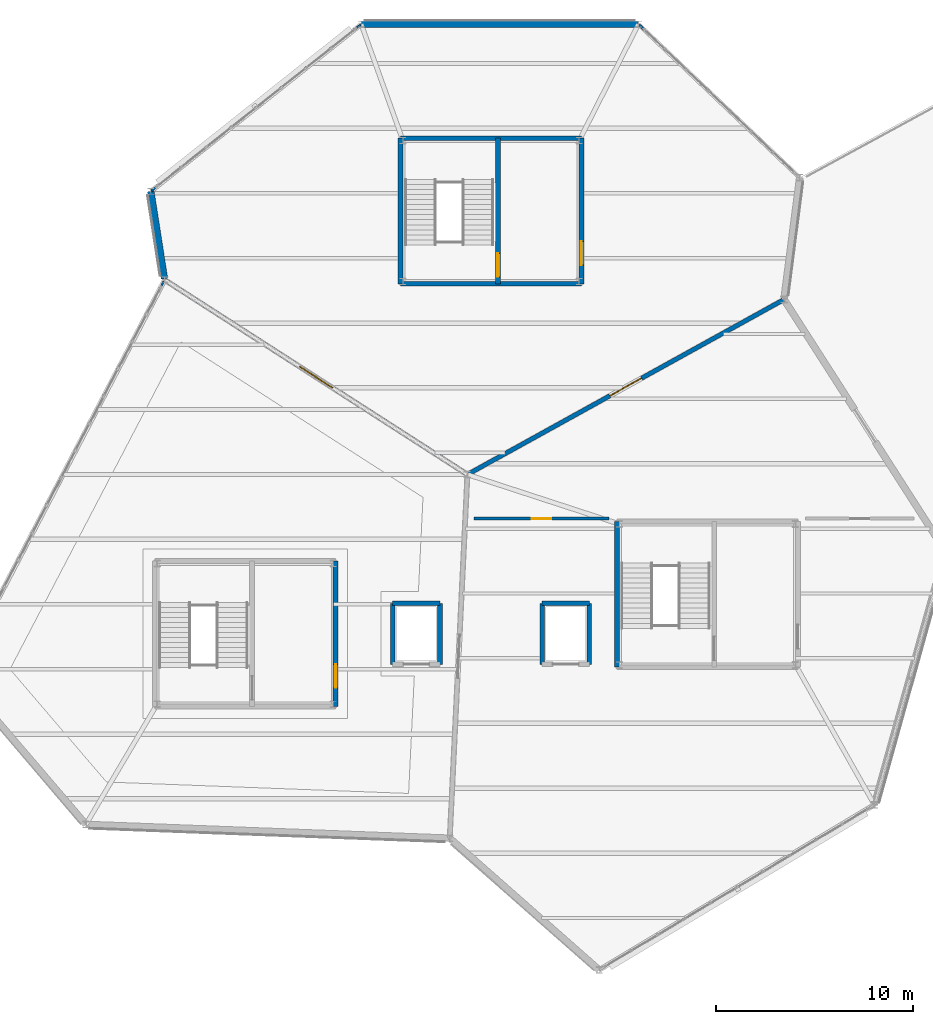
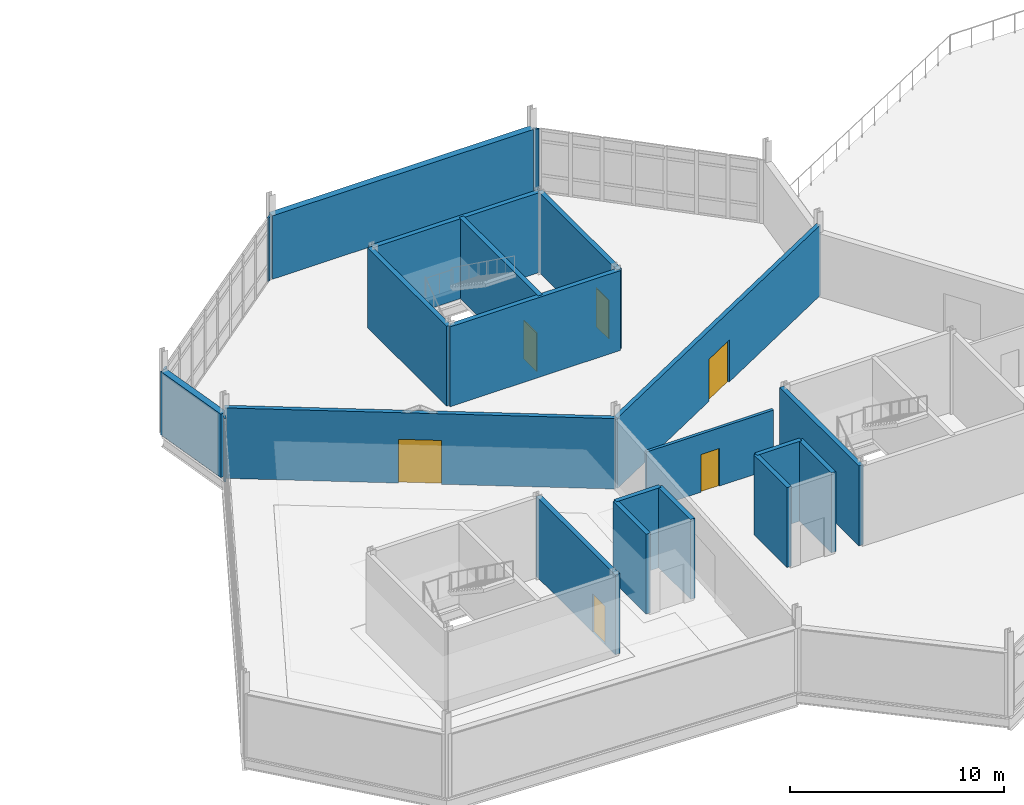
# One storey, part 64 of 76: 22 walls, 6 doors, 6 openings.
"""IFC4 building model written with IfcOpenShell, lengths in metres."""

from ifc_helpers import new_model, si_unit, direction, frame, frame_2d, origin, place, context, subcontext, project, spatial, rectangle, extrude, material, layer, layer_set, type_object, element, fill, save


model = new_model("IFC4")

# Units and contexts
model_context = context("Model", 3, precision=1e-05, world=origin(), true_north=direction((0.0, 1.0)))
body_context = subcontext(model_context, "Body", "Model", "MODEL_VIEW")
ifc_project = project(units=[si_unit("LENGTHUNIT", "METRE"), si_unit("AREAUNIT", "SQUARE_METRE"), si_unit("VOLUMEUNIT", "CUBIC_METRE"), si_unit("PLANEANGLEUNIT", "RADIAN"), si_unit("MASSUNIT", "GRAM", prefix="KILO")], contexts=[model_context])

# Site, building, storey
site_placement = place(None, origin())
site = spatial("IfcSite", under=ifc_project, at=site_placement, CompositionType="ELEMENT")
building_placement = place(site_placement, origin())
building = spatial("IfcBuilding", under=site, at=building_placement, Name="Tameran Prism Museum", CompositionType="ELEMENT")
storey_placement = place(building_placement, frame((0.0, 0.0, 15.0)))
storey = spatial("IfcBuildingStorey", under=building, at=storey_placement, Name="L03", CompositionType="ELEMENT", Elevation=15.0)

# Walls
ifc_material_1 = material(Name="Precast Concrete N40 (40 MPa)", Category="concrete")
ifc_layer_1 = layer(ifc_material_1, 0.094970703125)
ifc_layer_set_1 = layer_set([ifc_layer_1])
wall_type_1 = type_object("IfcWallType", Name="EW-CLOS-095", PredefinedType="SOLIDWALL", material=ifc_layer_set_1)
wall_1_placement = place(storey_placement, frame((103.2099609375, 98.636962890625, 0.0), z_axis=(0.0, 0.0, 1.0), x_axis=(0.464243799771, 0.885707454171, 0.0)))
element("IfcWall", 1, at=wall_1_placement, inside=storey, type_object=wall_type_1, Name="Facade Corner Closure EW-0361", PredefinedType="SOLIDWALL", context=body_context, shape_type="SweptSolid", body=[
    extrude(rectangle(XDim=0.30810546875, YDim=0.094970703125, at=frame_2d((0.154052734375, 0.0))), origin(), (0.0, 0.0, 1.0), 3.6201171875),
])
for number, where, z_axis, x_axis, name in (
    (2, (127.530029296875, 111.970947265625, 0.0), (0.0, 0.0, 1.0), (0.726243974232, -0.687437044311, 0.0), "Facade Corner Closure EW-0369"),
    (3, (102.73291015625, 103.52587890625, 0.0), (0.0, 0.0, 1.0), (0.782180115256, 0.623052379257, 0.0), "Facade Corner Closure EW-0372"),
):
    element("IfcWall", number, at=place(storey_placement, frame(where, z_axis=z_axis, x_axis=x_axis)), inside=storey, type_object=wall_type_1, Name=name, PredefinedType="SOLIDWALL", context=body_context, shape_type="SweptSolid", body=[
        extrude(rectangle(XDim=0.308349609375, YDim=0.094970703125, at=frame_2d((0.154296875, 0.0))), origin(), (0.0, 0.0, 1.0), 3.6201171875),
    ])
wall_2_placement = place(storey_placement, frame((113.1259765625, 111.781982421875, 0.0), z_axis=(0.0, 0.0, 1.0), x_axis=(0.781872503851, 0.6234383592, 0.0)))
element("IfcWall", 4, at=wall_2_placement, inside=storey, type_object=wall_type_1, Name="Facade Corner Closure EW-0373", PredefinedType="SOLIDWALL", context=body_context, shape_type="SweptSolid", body=[
    extrude(rectangle(XDim=0.30810546875, YDim=0.094970703125, at=frame_2d((0.154052734375, 0.0))), origin(), (0.0, 0.0, 1.0), 3.6201171875),
])
ifc_material_2 = material(Name="Precast Concrete N40 (40 MPa)", Category="concrete")
ifc_layer_2 = layer(ifc_material_2, 0.340087890625)
ifc_layer_set_2 = layer_set([ifc_layer_2])
wall_type_2 = type_object("IfcWallType", Name="EW-GAL-340", PredefinedType="SOLIDWALL", material=ifc_layer_set_2)
wall_3_placement = place(storey_placement, frame((113.39990234375, 112.0, 0.0), z_axis=(0.0, 0.0, 1.0), x_axis=(1.0, 0.0, 0.0)))
element("IfcWall", 5, at=wall_3_placement, inside=storey, type_object=wall_type_2, Name="Exterior Fluted Precast Wall EW-0371", PredefinedType="SOLIDWALL", context=body_context, shape_type="SweptSolid", body=[
    extrude(rectangle(XDim=14.10009765625, YDim=0.340087890625, at=frame_2d((7.050048828125, 0.0))), origin(), (0.0, 0.0, 1.0), 3.6201171875),
])
wall_4_placement = place(storey_placement, frame((103.39111328125, 99.05908203125, 0.0), z_axis=(0.0, 0.0, 1.0), x_axis=(-0.153783616147, 0.988104548823, 0.0)))
element("IfcWall", 6, at=wall_4_placement, inside=storey, type_object=wall_type_2, Name="Exterior Fluted Precast Wall EW-0374", PredefinedType="SOLIDWALL", context=body_context, shape_type="SweptSolid", body=[
    extrude(rectangle(XDim=4.494384765625, YDim=0.340087890625, at=frame_2d((2.2470703125, 0.0))), origin(), (0.0, 0.0, 1.0), 3.6201171875),
])

# Wall, opening, door
ifc_material_3 = material(Name="Concrete N40 (40 MPa)", Category="concrete")
ifc_layer_3 = layer(ifc_material_3, 0.22509765625)
ifc_layer_set_3 = layer_set([ifc_layer_3])
wall_type_3 = type_object("IfcWallType", Name="IW-CMP-225", PredefinedType="SOLIDWALL", material=ifc_layer_set_3)
wall_5_placement = place(storey_placement, frame((118.800048828125, 89.10009765625, 0.0), z_axis=(0.0, 0.0, 1.0), x_axis=(-0.841183241423, 0.540750177392, 0.0)))
wall_5 = element("IfcWall", 7, at=wall_5_placement, inside=storey, type_object=wall_type_3, Name="Compartment Wall IW-0137", PredefinedType="SOLIDWALL", context=body_context, shape_type="SweptSolid", body=[
    extrude(rectangle(XDim=18.3076171875, YDim=0.22509765625, at=frame_2d((9.15380859375, 0.0))), origin(), (0.0, 0.0, 1.0), 4.02001953125),
])
opening_1_placement = place(wall_5_placement, frame((8.154052734375, 0.0, 0.0)))
opening_1 = element("IfcOpeningElement", 8, at=opening_1_placement, cuts=wall_5, Name="Opening ID-0136", PredefinedType="OPENING", context=body_context, shape_type="SweptSolid", body=[
    extrude(rectangle(XDim=2.0, YDim=2.5, at=frame_2d((1.0, 1.25))), frame((0.0, 0.12255859375, 0.0), z_axis=(0.0, -1.0, 0.0), x_axis=(1.0, 0.0, 0.0)), (0.0, 0.0, 1.0), 0.2451171875),
])
ifc_material_4 = material(Name="Fire-Rated Steel Door Leaf and Frame", Category="steel")
door_type_1 = type_object("IfcDoorType", Name="DR-GAL-200", OperationType="DOUBLE_DOOR_SINGLE_SWING", PredefinedType="DOOR", material=ifc_material_4)
door_1_placement = place(opening_1_placement, origin())
door_1 = element("IfcDoor", 9, at=door_1_placement, inside=storey, type_object=door_type_1, Name="Compartment Door ID-0136", OperationType="DOUBLE_DOOR_SINGLE_SWING", OverallHeight=2.5, OverallWidth=2.0, PredefinedType="DOOR", context=body_context, shape_type="SweptSolid", body=[
    extrude(rectangle(XDim=2.0, YDim=2.5, at=frame_2d((1.0, 1.25))), frame((0.0, 0.02490234375, 0.0), z_axis=(0.0, -1.0, 0.0), x_axis=(1.0, 0.0, 0.0)), (0.0, 0.0, 1.0), 0.050048828125),
])
fill(opening_1, door_1)

wall_6_placement = place(storey_placement, frame((134.89990234375, 98.0, 0.0), z_axis=(0.0, 0.0, 1.0), x_axis=(-0.875181353329, -0.483794996652, 0.0)))
wall_6 = element("IfcWall", 10, at=wall_6_placement, inside=storey, type_object=wall_type_3, Name="Compartment Wall IW-0138", PredefinedType="SOLIDWALL", context=body_context, shape_type="SweptSolid", body=[
    extrude(rectangle(XDim=18.39599609375, YDim=0.22509765625, at=frame_2d((9.197998046875, 0.0))), origin(), (0.0, 0.0, 1.0), 4.02001953125),
])
opening_2_placement = place(wall_6_placement, frame((8.27294921875, 0.0, 0.0)))
opening_2 = element("IfcOpeningElement", 11, at=opening_2_placement, cuts=wall_6, Name="Opening ID-0137", PredefinedType="OPENING", context=body_context, shape_type="SweptSolid", body=[
    extrude(rectangle(XDim=1.85009765625, YDim=2.39990234375, at=frame_2d((0.925048828125, 1.199951171875))), frame((0.0, 0.12255859375, 0.0), z_axis=(0.0, -1.0, 0.0), x_axis=(1.0, 0.0, 0.0)), (0.0, 0.0, 1.0), 0.2451171875),
])
ifc_material_5 = material(Name="Fire-Rated Steel Door Leaf and Frame", Category="steel")
door_type_2 = type_object("IfcDoorType", Name="DR-GAL-185", OperationType="DOUBLE_DOOR_SINGLE_SWING", PredefinedType="DOOR", material=ifc_material_5)
door_2_placement = place(opening_2_placement, origin())
door_2 = element("IfcDoor", 12, at=door_2_placement, inside=storey, type_object=door_type_2, Name="Compartment Door ID-0137", OperationType="DOUBLE_DOOR_SINGLE_SWING", OverallHeight=2.39990234375, OverallWidth=1.85009765625, PredefinedType="DOOR", context=body_context, shape_type="SweptSolid", body=[
    extrude(rectangle(XDim=1.85009765625, YDim=2.39990234375, at=frame_2d((0.925048828125, 1.199951171875))), frame((0.0, 0.02490234375, 0.0), z_axis=(0.0, -1.0, 0.0), x_axis=(1.0, 0.0, 0.0)), (0.0, 0.0, 1.0), 0.050048828125),
])
fill(opening_2, door_2)

ifc_material_6 = material(Name="Concrete N40 (40 MPa)", Category="concrete")
ifc_layer_4 = layer(ifc_material_6, 0.25)
ifc_layer_set_4 = layer_set([ifc_layer_4])
wall_type_4 = type_object("IfcWallType", Name="IW-COR-250", PredefinedType="SHEAR", material=ifc_layer_set_4)
wall_7_placement = place(storey_placement, frame((112.10009765625, 84.699951171875, 0.0), z_axis=(0.0, 0.0, 1.0), x_axis=(0.0, -1.0, 0.0)))
wall_7 = element("IfcWall", 13, at=wall_7_placement, inside=storey, type_object=wall_type_4, Name="Core Shear Wall CW-1-L03-E", PredefinedType="SHEAR", context=body_context, shape_type="SweptSolid", body=[
    extrude(rectangle(XDim=7.39990234375, YDim=0.25, at=frame_2d((3.699951171875, 0.0))), origin(), (0.0, 0.0, 1.0), 4.56005859375),
])
opening_3_placement = place(wall_7_placement, frame((5.25, 0.0, 0.0)))
opening_3 = element("IfcOpeningElement", 14, at=opening_3_placement, cuts=wall_7, Name="Opening FD-0177", PredefinedType="OPENING", context=body_context, shape_type="SweptSolid", body=[
    extrude(rectangle(XDim=1.199951171875, YDim=2.199951171875, at=frame_2d((0.60009765625, 1.10009765625))), frame((0.0, 0.135009765625, 0.0), z_axis=(0.0, -1.0, 0.0), x_axis=(1.0, 0.0, 0.0)), (0.0, 0.0, 1.0), 0.27001953125),
])
ifc_material_7 = material(Name="Fire-Rated Steel Door Leaf and Frame", Category="steel")
door_type_3 = type_object("IfcDoorType", Name="DR-FD-120A", OperationType="NOTDEFINED", PredefinedType="DOOR", material=ifc_material_7)
door_3_placement = place(opening_3_placement, origin())
door_3 = element("IfcDoor", 15, at=door_3_placement, inside=storey, type_object=door_type_3, Name="Core Fire Door FD-0177", OperationType="SINGLE_SWING_LEFT", OverallHeight=2.199951171875, OverallWidth=1.199951171875, PredefinedType="DOOR", context=body_context, shape_type="SweptSolid", body=[
    extrude(rectangle(XDim=1.199951171875, YDim=2.199951171875, at=frame_2d((0.60009765625, 1.10009765625))), frame((0.0, 0.02490234375, 0.0), z_axis=(0.0, -1.0, 0.0), x_axis=(1.0, 0.0, 0.0)), (0.0, 0.0, 1.0), 0.050048828125),
])
fill(opening_3, door_3)

# Walls
for number, where, z_axis, x_axis, name in (
    (16, (126.39990234375, 79.300048828125, 0.0), (0.0, 0.0, 1.0), (0.0, 1.0, 0.0), "Core Shear Wall CW-2-L03-W"),
    (17, (115.39990234375, 98.800048828125, 0.0), (0.0, 0.0, 1.0), (0.0, 1.0, 0.0), "Core Shear Wall CW-7-L03-W"),
):
    element("IfcWall", number, at=place(storey_placement, frame(where, z_axis=z_axis, x_axis=x_axis)), inside=storey, type_object=wall_type_4, Name=name, PredefinedType="SHEAR", context=body_context, shape_type="SweptSolid", body=[
        extrude(rectangle(XDim=7.39990234375, YDim=0.25, at=frame_2d((3.699951171875, 0.0))), origin(), (0.0, 0.0, 1.0), 4.56005859375),
    ])
for number, where, z_axis, x_axis, name in (
    (18, (115.39990234375, 106.199951171875, 0.0), (0.0, 0.0, 1.0), (1.0, 0.0, 0.0), "Core Shear Wall CW-7-L03-N"),
    (19, (124.60009765625, 98.800048828125, 0.0), (0.0, 0.0, 1.0), (-1.0, 0.0, 0.0), "Core Shear Wall CW-7-L03-S"),
):
    element("IfcWall", number, at=place(storey_placement, frame(where, z_axis=z_axis, x_axis=x_axis)), inside=storey, type_object=wall_type_4, Name=name, PredefinedType="SHEAR", context=body_context, shape_type="SweptSolid", body=[
        extrude(rectangle(XDim=9.2001953125, YDim=0.25, at=frame_2d((4.60009765625, 0.0))), origin(), (0.0, 0.0, 1.0), 4.56005859375),
    ])

# Wall, opening, door
wall_8_placement = place(storey_placement, frame((124.60009765625, 106.199951171875, 0.0), z_axis=(0.0, 0.0, 1.0), x_axis=(0.0, -1.0, 0.0)))
wall_8 = element("IfcWall", 20, at=wall_8_placement, inside=storey, type_object=wall_type_4, Name="Core Shear Wall CW-7-L03-E", PredefinedType="SHEAR", context=body_context, shape_type="SweptSolid", body=[
    extrude(rectangle(XDim=7.39990234375, YDim=0.25, at=frame_2d((3.699951171875, 0.0))), origin(), (0.0, 0.0, 1.0), 4.56005859375),
])
opening_4_placement = place(wall_8_placement, frame((5.25, 0.0, 0.0)))
opening_4 = element("IfcOpeningElement", 21, at=opening_4_placement, cuts=wall_8, Name="Opening FD-0205", PredefinedType="OPENING", context=body_context, shape_type="SweptSolid", body=[
    extrude(rectangle(XDim=1.199951171875, YDim=2.199951171875, at=frame_2d((0.60009765625, 1.10009765625))), frame((0.0, 0.135009765625, 0.0), z_axis=(0.0, -1.0, 0.0), x_axis=(1.0, 0.0, 0.0)), (0.0, 0.0, 1.0), 0.27001953125),
])
door_4_placement = place(opening_4_placement, origin())
door_4 = element("IfcDoor", 22, at=door_4_placement, inside=storey, type_object=door_type_3, Name="Core Fire Door FD-0205", OperationType="SINGLE_SWING_LEFT", OverallHeight=2.199951171875, OverallWidth=1.199951171875, PredefinedType="DOOR", context=body_context, shape_type="SweptSolid", body=[
    extrude(rectangle(XDim=1.199951171875, YDim=2.199951171875, at=frame_2d((0.60009765625, 1.10009765625))), frame((0.0, 0.02490234375, 0.0), z_axis=(0.0, -1.0, 0.0), x_axis=(1.0, 0.0, 0.0)), (0.0, 0.0, 1.0), 0.050048828125),
])
fill(opening_4, door_4)

wall_9_placement = place(storey_placement, frame((120.35009765625, 106.199951171875, 0.0), z_axis=(0.0, 0.0, 1.0), x_axis=(0.0, -1.0, 0.0)))
wall_9 = element("IfcWall", 23, at=wall_9_placement, inside=storey, type_object=wall_type_4, Name="Core Shear Wall CW-7-L03-M", PredefinedType="SHEAR", context=body_context, shape_type="SweptSolid", body=[
    extrude(rectangle(XDim=7.39990234375, YDim=0.25, at=frame_2d((3.699951171875, 0.0))), origin(), (0.0, 0.0, 1.0), 4.56005859375),
])
opening_5_placement = place(wall_9_placement, frame((5.85009765625, 0.0, 0.0)))
opening_5 = element("IfcOpeningElement", 24, at=opening_5_placement, cuts=wall_9, Name="Opening FD-0206", PredefinedType="OPENING", context=body_context, shape_type="SweptSolid", body=[
    extrude(rectangle(XDim=1.199951171875, YDim=2.199951171875, at=frame_2d((0.60009765625, 1.10009765625))), frame((0.0, 0.135009765625, 0.0), z_axis=(0.0, -1.0, 0.0), x_axis=(1.0, 0.0, 0.0)), (0.0, 0.0, 1.0), 0.27001953125),
])
door_5_placement = place(opening_5_placement, origin())
door_5 = element("IfcDoor", 25, at=door_5_placement, inside=storey, type_object=door_type_3, Name="Core Fire Door FD-0206", OperationType="SINGLE_SWING_RIGHT", OverallHeight=2.199951171875, OverallWidth=1.199951171875, PredefinedType="DOOR", context=body_context, shape_type="SweptSolid", body=[
    extrude(rectangle(XDim=1.199951171875, YDim=2.199951171875, at=frame_2d((0.60009765625, 1.10009765625))), frame((0.0, 0.02490234375, 0.0), z_axis=(0.0, -1.0, 0.0), x_axis=(1.0, 0.0, 0.0)), (0.0, 0.0, 1.0), 0.050048828125),
])
fill(opening_5, door_5)

# Walls
ifc_material_8 = material(Name="Concrete N40 (40 MPa)", Category="concrete")
ifc_layer_5 = layer(ifc_material_8, 0.239990234375)
ifc_layer_set_5 = layer_set([ifc_layer_5])
wall_type_5 = type_object("IfcWallType", Name="IW-LFT-240", PredefinedType="SHEAR", material=ifc_layer_set_5)
wall_10_placement = place(storey_placement, frame((115.0, 82.550048828125, 0.0), z_axis=(0.0, 0.0, 1.0), x_axis=(1.0, 0.0, 0.0)))
element("IfcWall", 26, at=wall_10_placement, inside=storey, type_object=wall_type_5, Name="Lift Shaft Wall LW-EL01-L03N", PredefinedType="SHEAR", context=body_context, shape_type="SweptSolid", body=[
    extrude(rectangle(XDim=2.39990234375, YDim=0.239990234375, at=frame_2d((1.199951171875, 0.0))), origin(), (0.0, 0.0, 1.0), 4.56005859375),
])
for number, where, z_axis, x_axis, name in (
    (27, (117.39990234375, 82.550048828125, 0.0), (0.0, 0.0, 1.0), (0.0, -1.0, 0.0), "Lift Shaft Wall LW-EL01-L03E"),
    (28, (115.0, 79.449951171875, 0.0), (0.0, 0.0, 1.0), (0.0, 1.0, 0.0), "Lift Shaft Wall LW-EL01-L03W"),
):
    element("IfcWall", number, at=place(storey_placement, frame(where, z_axis=z_axis, x_axis=x_axis)), inside=storey, type_object=wall_type_5, Name=name, PredefinedType="SHEAR", context=body_context, shape_type="SweptSolid", body=[
        extrude(rectangle(XDim=3.10009765625, YDim=0.239990234375, at=frame_2d((1.550048828125, 0.0))), origin(), (0.0, 0.0, 1.0), 4.56005859375),
    ])
wall_11_placement = place(storey_placement, frame((122.60009765625, 82.550048828125, 0.0), z_axis=(0.0, 0.0, 1.0), x_axis=(1.0, 0.0, 0.0)))
element("IfcWall", 29, at=wall_11_placement, inside=storey, type_object=wall_type_5, Name="Lift Shaft Wall LW-EL02-L03N", PredefinedType="SHEAR", context=body_context, shape_type="SweptSolid", body=[
    extrude(rectangle(XDim=2.39990234375, YDim=0.239990234375, at=frame_2d((1.199951171875, 0.0))), origin(), (0.0, 0.0, 1.0), 4.56005859375),
])
for number, where, z_axis, x_axis, name in (
    (30, (125.0, 82.550048828125, 0.0), (0.0, 0.0, 1.0), (0.0, -1.0, 0.0), "Lift Shaft Wall LW-EL02-L03E"),
    (31, (122.60009765625, 79.449951171875, 0.0), (0.0, 0.0, 1.0), (0.0, 1.0, 0.0), "Lift Shaft Wall LW-EL02-L03W"),
):
    element("IfcWall", number, at=place(storey_placement, frame(where, z_axis=z_axis, x_axis=x_axis)), inside=storey, type_object=wall_type_5, Name=name, PredefinedType="SHEAR", context=body_context, shape_type="SweptSolid", body=[
        extrude(rectangle(XDim=3.10009765625, YDim=0.239990234375, at=frame_2d((1.550048828125, 0.0))), origin(), (0.0, 0.0, 1.0), 4.56005859375),
    ])

# Wall, opening, door
ifc_material_9 = material(Name="Fire-Rated Corridor Stud Partition")
ifc_layer_6 = layer(ifc_material_9, 0.159912109375)
ifc_layer_set_6 = layer_set([ifc_layer_6])
wall_type_6 = type_object("IfcWallType", Name="IW-PRT-160", PredefinedType="PARTITIONING", material=ifc_layer_set_6)
wall_12_placement = place(storey_placement, frame((119.14208984375, 86.85888671875, 0.0), z_axis=(0.0, 0.0, 1.0), x_axis=(1.0, 0.0, 0.0)))
wall_12 = element("IfcWall", 32, at=wall_12_placement, inside=storey, type_object=wall_type_6, Name="Internal Partition PT-0146", PredefinedType="PARTITIONING", context=body_context, shape_type="SweptSolid", body=[
    extrude(rectangle(XDim=6.85791015625, YDim=0.159912109375, at=frame_2d((3.428955078125, 0.0))), origin(), (0.0, 0.0, 1.0), 3.320068359375),
])
opening_6_placement = place(wall_12_placement, frame((2.93896484375, 0.0, 0.0)))
opening_6 = element("IfcOpeningElement", 33, at=opening_6_placement, cuts=wall_12, Name="Opening ID-0145", PredefinedType="OPENING", context=body_context, shape_type="SweptSolid", body=[
    extrude(rectangle(XDim=0.97998046875, YDim=2.14990234375, at=frame_2d((0.489990234375, 1.074951171875))), frame((0.0, 0.08984375, 0.0), z_axis=(0.0, -1.0, 0.0), x_axis=(1.0, 0.0, 0.0)), (0.0, 0.0, 1.0), 0.179931640625),
])
ifc_material_10 = material(Name="Acoustic Solid-Core Timber Door", Category="wood")
door_type_4 = type_object("IfcDoorType", Name="DR-INT-098", OperationType="NOTDEFINED", PredefinedType="DOOR", material=ifc_material_10)
door_6_placement = place(opening_6_placement, origin())
door_6 = element("IfcDoor", 34, at=door_6_placement, inside=storey, type_object=door_type_4, Name="Interior Room Door ID-0145", OperationType="SINGLE_SWING_LEFT", OverallHeight=2.14990234375, OverallWidth=0.97998046875, PredefinedType="DOOR", context=body_context, shape_type="SweptSolid", body=[
    extrude(rectangle(XDim=0.97998046875, YDim=2.14990234375, at=frame_2d((0.489990234375, 1.074951171875))), frame((0.0, 0.02490234375, 0.0), z_axis=(0.0, -1.0, 0.0), x_axis=(1.0, 0.0, 0.0)), (0.0, 0.0, 1.0), 0.050048828125),
])
fill(opening_6, door_6)

save(model, "model.ifc")
